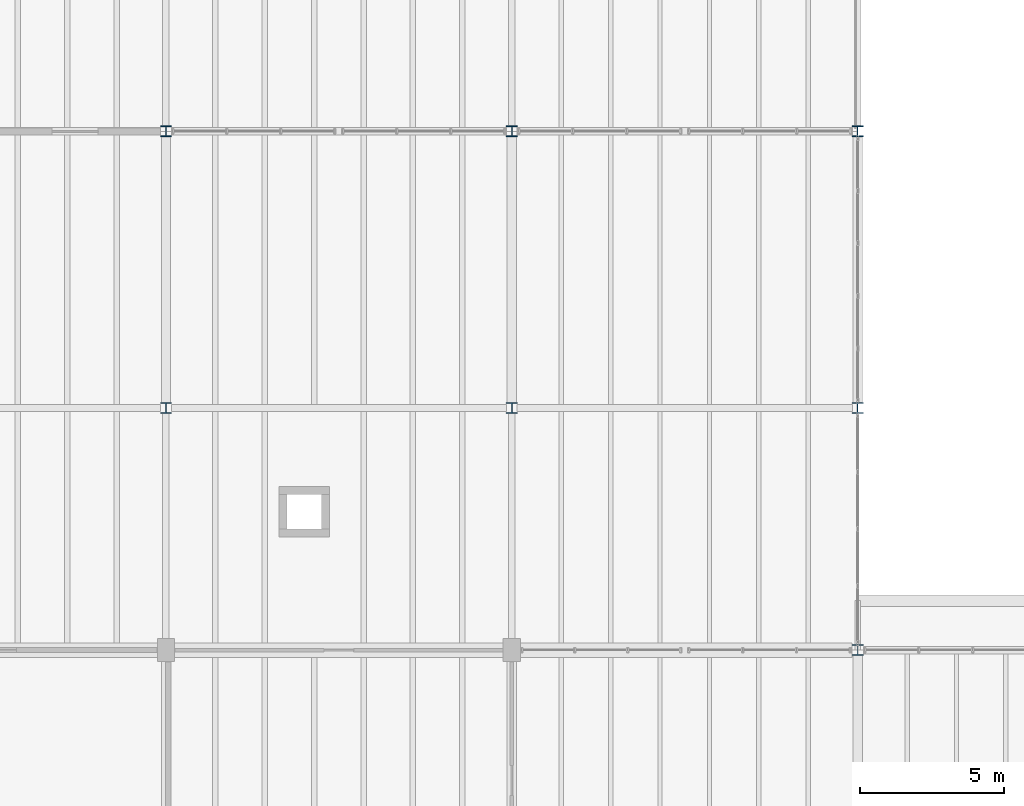
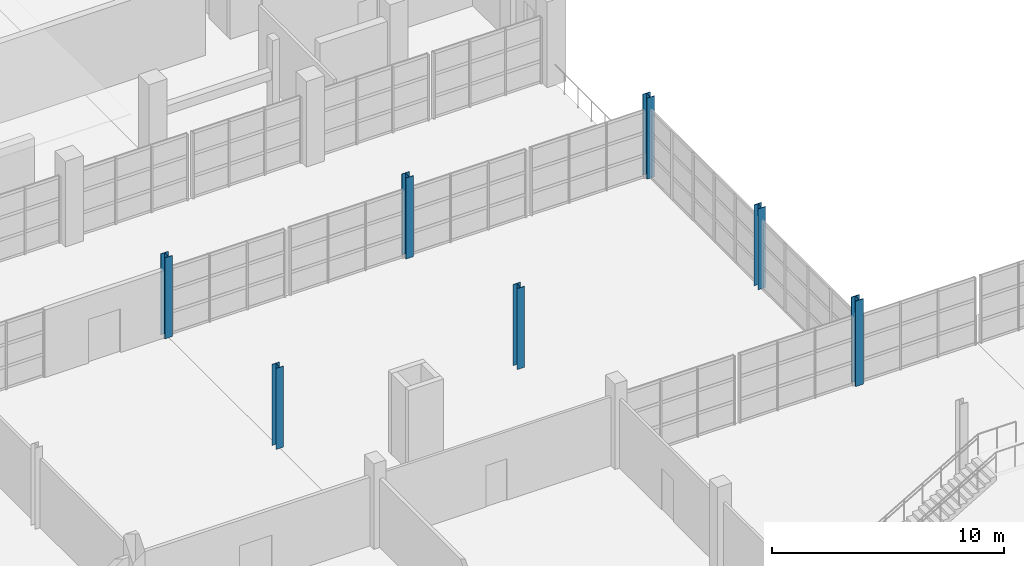
# One storey, part 4 of 114: 7 columns.
"""IFC4 building model written with IfcOpenShell, lengths in metres."""

import ifcopenshell
import ifcopenshell.guid

model = None  # the IFC model being written
_history = None  # IfcOwnerHistory: only IFC2X3 demands one
_inside = {}  # id of a spatial element -> (the spatial element, [elements in it])
_under = {}  # id of a project, library or spatial element -> (it, [spatial elements below it])
_declared = {}  # id of a project -> (the project, [libraries it declares])
_typed = {}  # id of a type object -> (the type object, [elements of that type])
_made_of = {}  # id of a material, layer set ... -> (it, [elements and type objects made of it])


def new_model(schema):
    """Start an empty IFC model of exactly this schema.

    Asked for "IFC4X3", IfcOpenShell would pick the latest addendum, in which some entities
    have other attributes; the version numbers below select the first issue.
    IFC2X3 requires an IfcOwnerHistory on every rooted entity: one is made here for all.
    """
    global model, _history
    if schema == "IFC4X3":
        model = ifcopenshell.file(schema_version=(4, 3, 0, 0))
    else:
        model = ifcopenshell.file(schema=schema)
    _inside.clear()
    _under.clear()
    _declared.clear()
    _typed.clear()
    _made_of.clear()
    _history = None
    if model.schema == "IFC2X3":
        org = make("IfcOrganization", Name="unknown")
        user = make(
            "IfcPersonAndOrganization",
            ThePerson=make("IfcPerson", FamilyName="unknown"),
            TheOrganization=org,
        )
        app = make(
            "IfcApplication",
            ApplicationDeveloper=org,
            Version="unknown",
            ApplicationFullName="unknown",
            ApplicationIdentifier="unknown",
        )
        _history = make(
            "IfcOwnerHistory",
            OwningUser=user,
            OwningApplication=app,
            ChangeAction="ADDED",
            CreationDate=0,
        )
    return model


def make(cls, **values):
    """One entity of the class cls with the attributes given. An attribute that is None is left unset."""
    return model.create_entity(
        cls, **{name: value for name, value in values.items() if value is not None}
    )


def rooted(cls, **values):
    """An entity with a GlobalId (a new one), such as an element, a storey or a relation."""
    return make(cls, GlobalId=ifcopenshell.guid.new(), OwnerHistory=_history, **values)


def si_unit(unit_type, name, prefix=None):
    """IfcSIUnit, for example si_unit("LENGTHUNIT", "METRE", prefix="MILLI")."""
    return make("IfcSIUnit", UnitType=unit_type, Prefix=prefix, Name=name)


def assignment(units):
    """IfcUnitAssignment: the units of a project."""
    return None if units is None else make("IfcUnitAssignment", Units=units)


def point(xyz):
    """IfcCartesianPoint."""
    return None if xyz is None else make("IfcCartesianPoint", Coordinates=xyz)


def direction(xyz):
    """IfcDirection."""
    return None if xyz is None else make("IfcDirection", DirectionRatios=xyz)


def frame(location, z_axis=None, x_axis=None):
    """IfcAxis2Placement3D, a coordinate frame: its origin and axes. An axis left out is left unset."""
    return make(
        "IfcAxis2Placement3D",
        Location=point(location),
        Axis=direction(z_axis),
        RefDirection=direction(x_axis),
    )


def frame_2d(location, x_axis=None):
    """IfcAxis2Placement2D, a coordinate frame in the plane: its origin and x axis."""
    return make(
        "IfcAxis2Placement2D", Location=point(location), RefDirection=direction(x_axis)
    )


def origin():
    """The frame at (0, 0, 0) with its axes left unset."""
    return frame((0.0, 0.0, 0.0))


def origin_2d():
    """The frame at (0, 0) in the plane with its x axis left unset."""
    return frame_2d((0.0, 0.0))


def place(relative_to, where):
    """IfcLocalPlacement: puts the frame where relative to a parent placement (None: the world)."""
    return make(
        "IfcLocalPlacement", PlacementRelTo=relative_to, RelativePlacement=where
    )


def context(
    kind, dimensions, precision=None, world=None, true_north=None, identifier=None
):
    """IfcGeometricRepresentationContext, for example the 3D "Model" context."""
    return make(
        "IfcGeometricRepresentationContext",
        ContextIdentifier=identifier,
        ContextType=kind,
        CoordinateSpaceDimension=dimensions,
        Precision=precision,
        WorldCoordinateSystem=world,
        TrueNorth=true_north,
    )


def subcontext(parent, identifier, kind, view, scale=None):
    """IfcGeometricRepresentationSubContext, for example "Body" below "Model"."""
    return make(
        "IfcGeometricRepresentationSubContext",
        ContextIdentifier=identifier,
        ContextType=kind,
        ParentContext=parent,
        TargetScale=scale,
        TargetView=view,
    )


def project(units=None, contexts=None):
    """IfcProject with its units and contexts."""
    return rooted(
        "IfcProject",
        Name="project",
        RepresentationContexts=contexts,
        UnitsInContext=assignment(units),
    )


def spatial(cls, under=None, at=None, **own):
    """A site, building, storey or space (cls), placed at a placement, below another one or the project."""
    s = rooted(cls, ObjectPlacement=at, **own)
    if under is not None:
        _under.setdefault(under.id(), (under, []))[1].append(s)
    return s


def profile(cls, at=None, kind="AREA", **sizes):
    """A parametric profile (cls). Its sizes go by their IFC names, for example OverallWidth=200.0."""
    return make(cls, ProfileType=kind, Position=at, **sizes)


def i_section(**sizes):
    """IfcIShapeProfileDef."""
    return profile("IfcIShapeProfileDef", **sizes)


def extrude(swept, where, along, depth):
    """IfcExtrudedAreaSolid: the profile swept, set in the frame where, extruded along a direction by depth."""
    return make(
        "IfcExtrudedAreaSolid",
        SweptArea=swept,
        Position=where,
        ExtrudedDirection=direction(along),
        Depth=depth,
    )


def shape(context_of_items, identifier, shape_type, items):
    """IfcShapeRepresentation: the items that make up one representation, for example the "Body"."""
    return make(
        "IfcShapeRepresentation",
        ContextOfItems=context_of_items,
        RepresentationIdentifier=identifier,
        RepresentationType=shape_type,
        Items=items,
    )


def material(Name=None, Category=None):
    """IfcMaterial."""
    return make("IfcMaterial", Name=Name, Category=Category)


def material_profile(
    of_material, cross_section, Name=None, Category=None, Priority=None
):
    """IfcMaterialProfile: a cross section and its material."""
    return make(
        "IfcMaterialProfile",
        Name=Name,
        Material=of_material,
        Profile=cross_section,
        Priority=Priority,
        Category=Category,
    )


def profile_set(profiles, Name=None, composite=None):
    """IfcMaterialProfileSet."""
    return make(
        "IfcMaterialProfileSet",
        Name=Name,
        MaterialProfiles=profiles,
        CompositeProfile=composite,
    )


def made_of(thing, what):
    """Note that an element or type object is made of a material, layer set ...; save() writes the relation."""
    if what is not None:
        _made_of.setdefault(what.id(), (what, []))[1].append(thing)
    return thing


def type_object(cls, material=None, **own):
    """A type object (cls), such as IfcWallType, which elements share."""
    return made_of(rooted(cls, **own), material)


def element(
    cls,
    number,
    at=None,
    inside=None,
    cuts=None,
    type_object=None,
    material=None,
    context=None,
    identifier="Body",
    shape_type=None,
    held_by="IfcProductDefinitionShape",
    body=None,
    shapes=None,
    **own,
):
    """One element of the class cls, such as IfcWall. Its Tag is "e" and its number.

    at: its placement. inside: the storey or other place that contains it. cuts: it is an
    opening in that element (IfcRelVoidsElement). A single representation is given by context,
    identifier, shape_type and body (its items); several are given by shapes. held_by: the class
    of the entity that holds the representations. save() writes the other relations.
    """
    e = rooted(cls, Tag="e%d" % number, ObjectPlacement=at, **own)
    if body is not None:
        shapes = [shape(context, identifier, shape_type, body)]
    if shapes is not None:
        e.Representation = make(held_by, Representations=shapes)
    if inside is not None:
        _inside.setdefault(inside.id(), (inside, []))[1].append(e)
    if cuts is not None:
        rooted(
            "IfcRelVoidsElement", RelatingBuildingElement=cuts, RelatedOpeningElement=e
        )
    if type_object is not None:
        _typed.setdefault(type_object.id(), (type_object, []))[1].append(e)
    return made_of(e, material)


def aggregate(whole, parts):
    """IfcRelAggregates: a whole, such as a stair, and the parts it consists of."""
    return rooted("IfcRelAggregates", RelatingObject=whole, RelatedObjects=parts)


def save(model, path):
    """Write the relations noted so far, then the file.

    IfcRelAggregates (storeys below a building ...), IfcRelContainedInSpatialStructure (elements
    in a storey), IfcRelDefinesByType, IfcRelAssociatesMaterial and IfcRelDeclares: one each for
    every whole, place, type object, material and project.
    """
    for whole, parts in _under.values():
        aggregate(whole, parts)
    for where, things in _inside.values():
        rooted(
            "IfcRelContainedInSpatialStructure",
            RelatedElements=things,
            RelatingStructure=where,
        )
    for kind, things in _typed.values():
        rooted("IfcRelDefinesByType", RelatedObjects=things, RelatingType=kind)
    for what, things in _made_of.values():
        rooted("IfcRelAssociatesMaterial", RelatedObjects=things, RelatingMaterial=what)
    for by, libraries in _declared.values():
        rooted("IfcRelDeclares", RelatingContext=by, RelatedDefinitions=libraries)
    model.write(path)


model = new_model("IFC4")

# Units and contexts
model_context = context("Model", 3, precision=1e-05, world=origin(), true_north=direction((0.0, 1.0)))
body_context = subcontext(model_context, "Body", "Model", "MODEL_VIEW")
ifc_project = project(units=[si_unit("LENGTHUNIT", "METRE"), si_unit("AREAUNIT", "SQUARE_METRE"), si_unit("VOLUMEUNIT", "CUBIC_METRE"), si_unit("PLANEANGLEUNIT", "RADIAN"), si_unit("MASSUNIT", "GRAM", prefix="KILO")], contexts=[model_context])

# Site, building, storey
site_placement = place(None, origin())
site = spatial("IfcSite", under=ifc_project, at=site_placement, CompositionType="ELEMENT")
building_placement = place(site_placement, origin())
building = spatial("IfcBuilding", under=site, at=building_placement, Name="Kelmvaro Bay Concert Hall", CompositionType="ELEMENT")
storey_placement = place(building_placement, frame((0.0, 0.0, 4.800048828125)))
storey = spatial("IfcBuildingStorey", under=building, at=storey_placement, Name="L01", CompositionType="ELEMENT", Elevation=4.800048828125)

# Columns
ifc_material_1 = material(Name="Steel ASTM A992 Grade 50", Category="steel")
ifc_material_profile_1 = material_profile(ifc_material_1, i_section(OverallWidth=0.373046875, OverallDepth=0.373046875, WebThickness=0.016357421875, FlangeThickness=0.026123046875, at=origin_2d()), Name="W14X132")
ifc_profile_set_1 = profile_set([ifc_material_profile_1], Name="Steel ASTM A992 Grade 50")
column_type_1 = type_object("IfcColumnType", Name="Concourse Link Column W14x132", PredefinedType="COLUMN", material=ifc_profile_set_1)
for number, where, z_axis, x_axis, name in (
    (1, (36.0, 47.39990234375, 0.0), (0.0, 0.0, 1.0), (1.0, 0.0, 0.0), "L01 Column V5W-36-474"),
    (2, (36.0, 57.0, 0.0), (0.0, 0.0, 1.0), (1.0, 0.0, 0.0), "L01 Column V5W-36-570"),
    (3, (48.0, 47.39990234375, 0.0), (0.0, 0.0, 1.0), (1.0, 0.0, 0.0), "L01 Column V5W-48-474"),
    (4, (48.0, 57.0, 0.0), (0.0, 0.0, 1.0), (1.0, 0.0, 0.0), "L01 Column V5W-48-570"),
    (5, (60.0, 47.39990234375, 0.0), (0.0, 0.0, 1.0), (1.0, 0.0, 0.0), "L01 Column V5W-60-474"),
    (6, (60.0, 57.0, 0.0), (0.0, 0.0, 1.0), (1.0, 0.0, 0.0), "L01 Column V5W-60-570"),
):
    element("IfcColumn", number, at=place(storey_placement, frame(where, z_axis=z_axis, x_axis=x_axis)), inside=storey, type_object=column_type_1, Name=name, PredefinedType="COLUMN", context=body_context, shape_type="SweptSolid", body=[
        extrude(i_section(OverallWidth=0.373046875, OverallDepth=0.373046875, WebThickness=0.016357421875, FlangeThickness=0.026123046875, at=origin_2d()), origin(), (0.0, 0.0, 1.0), 4.260009765625),
    ])
ifc_material_2 = material(Name="Steel ASTM A992 Grade 50", Category="steel")
ifc_material_profile_2 = material_profile(ifc_material_2, i_section(OverallWidth=0.39892578125, OverallDepth=0.385986328125, WebThickness=0.02099609375, FlangeThickness=0.033203125, at=origin_2d()), Name="W14X176")
ifc_profile_set_2 = profile_set([ifc_material_profile_2], Name="Steel ASTM A992 Grade 50")
column_type_2 = type_object("IfcColumnType", Name="Foyer Heavy Column W14x176", PredefinedType="COLUMN", material=ifc_profile_set_2)
column_placement = place(storey_placement, frame((60.0, 39.0, 0.0), z_axis=(0.0, 0.0, 1.0), x_axis=(1.0, 0.0, 0.0)))
element("IfcColumn", 7, at=column_placement, inside=storey, type_object=column_type_2, Name="L01 Column V5S-60-390", PredefinedType="COLUMN", context=body_context, shape_type="SweptSolid", body=[
    extrude(i_section(OverallWidth=0.39892578125, OverallDepth=0.385986328125, WebThickness=0.02099609375, FlangeThickness=0.033203125, at=origin_2d()), origin(), (0.0, 0.0, 1.0), 4.5),
])

save(model, "model.ifc")
